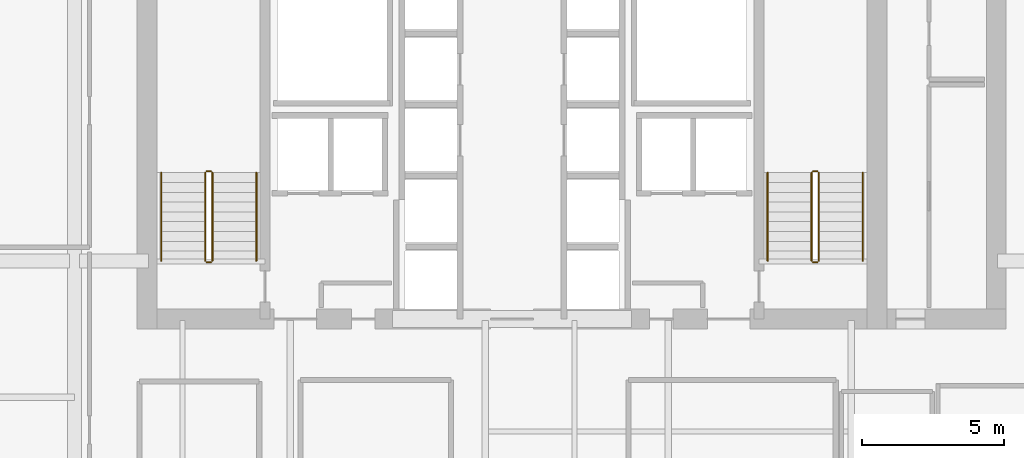
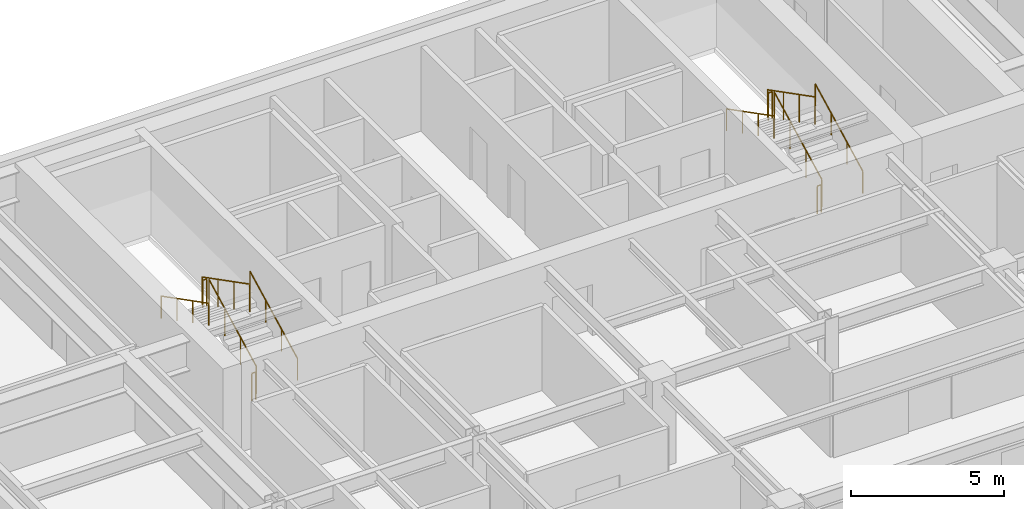
# One storey, part 16 of 16: 12 railings.
"""IFC4 building model written with IfcOpenShell, lengths in metres."""

from ifc_helpers import new_model, si_unit, direction, frame, origin, origin_2d, place, context, subcontext, project, spatial, circle, extrude, material, type_object, element, save


model = new_model("IFC4")

# Units and contexts
model_context = context("Model", 3, precision=1e-05, world=origin(), true_north=direction((0.0, 1.0)))
body_context = subcontext(model_context, "Body", "Model", "MODEL_VIEW")
ifc_project = project(units=[si_unit("LENGTHUNIT", "METRE"), si_unit("AREAUNIT", "SQUARE_METRE"), si_unit("VOLUMEUNIT", "CUBIC_METRE"), si_unit("PLANEANGLEUNIT", "RADIAN"), si_unit("MASSUNIT", "GRAM", prefix="KILO")], contexts=[model_context])

# Site, building, storey
site_placement = place(None, origin())
site = spatial("IfcSite", under=ifc_project, at=site_placement, CompositionType="ELEMENT")
building_placement = place(site_placement, origin())
building = spatial("IfcBuilding", under=site, at=building_placement, Name="Tolvann Quenvar Hotel", CompositionType="ELEMENT")
storey_placement = place(building_placement, frame((0.0, 0.0, 115.10009765625)))
storey = spatial("IfcBuildingStorey", under=building, at=storey_placement, Name="L29", CompositionType="ELEMENT", Elevation=115.10009765625)

# Railings
ifc_material = material(Name="Brushed 316 stainless steel balustrade and handrail", Category="steel")
railing_type_1 = type_object("IfcRailingType", Name="GUARDRAIL", PredefinedType="GUARDRAIL", material=ifc_material)
railing_1_placement = place(storey_placement, frame((12.449951171875, 34.0, 0.177490234375)))
element("IfcRailing", 1, at=railing_1_placement, inside=storey, type_object=railing_type_1, Name="L29 ST-C1 stair guard 1", PredefinedType="GUARDRAIL", context=body_context, shape_type="SweptSolid", body=[
    extrude(circle(Radius=0.02392578125, at=origin_2d()), frame((0.0, 0.0, 1.09619140625), z_axis=(0.0, 0.889221982265, 0.45747597342), x_axis=(-1.0, 0.0, 0.0)), (0.0, 0.0, 1.0), 3.49169921875),
    extrude(circle(Radius=0.02099609375, at=origin_2d()), origin(), (0.0, 0.0, 1.0), 1.072021484375),
    extrude(circle(Radius=0.02099609375, at=origin_2d()), frame((0.0, 1.034912109375, 0.532470703125)), (0.0, 0.0, 1.0), 1.072021484375),
    extrude(circle(Radius=0.02099609375, at=origin_2d()), frame((0.0, 2.070068359375, 1.06494140625)), (0.0, 0.0, 1.0), 1.072021484375),
    extrude(circle(Radius=0.02099609375, at=origin_2d()), frame((0.0, 3.10498046875, 1.597412109375)), (0.0, 0.0, 1.0), 1.072021484375),
])
railing_2_placement = place(storey_placement, frame((12.39990234375, 37.155029296875, 1.77490234375)))
element("IfcRailing", 2, at=railing_2_placement, inside=storey, type_object=railing_type_1, Name="L29 ST-C1 stair guard 2", PredefinedType="GUARDRAIL", context=body_context, shape_type="SweptSolid", body=[
    extrude(circle(Radius=0.02392578125, at=origin_2d()), frame((0.0, 0.0, 1.09619140625), z_axis=(-1.0, 0.0, 0.0), x_axis=(0.0, -1.0, 0.0)), (0.0, 0.0, 1.0), 0.14990234375),
    extrude(circle(Radius=0.02099609375, at=origin_2d()), origin(), (0.0, 0.0, 1.0), 1.072021484375),
    extrude(circle(Radius=0.02099609375, at=origin_2d()), frame((-0.14990234375, 0.0, 0.0)), (0.0, 0.0, 1.0), 1.072021484375),
])
railing_3_placement = place(storey_placement, frame((12.199951171875, 37.10498046875, 1.952392578125)))
element("IfcRailing", 3, at=railing_3_placement, inside=storey, type_object=railing_type_1, Name="L29 ST-C1 stair guard 3", PredefinedType="GUARDRAIL", context=body_context, shape_type="SweptSolid", body=[
    extrude(circle(Radius=0.02392578125, at=origin_2d()), frame((0.0, 0.0, 1.09619140625), z_axis=(0.0, -0.889221982265, 0.45747597342), x_axis=(1.0, 0.0, 0.0)), (0.0, 0.0, 1.0), 3.49169921875),
    extrude(circle(Radius=0.02099609375, at=origin_2d()), origin(), (0.0, 0.0, 1.0), 1.072021484375),
    extrude(circle(Radius=0.02099609375, at=origin_2d()), frame((0.0, -1.034912109375, 0.532470703125)), (0.0, 0.0, 1.0), 1.072021484375),
    extrude(circle(Radius=0.02099609375, at=origin_2d()), frame((0.0, -2.070068359375, 1.06494140625)), (0.0, 0.0, 1.0), 1.072021484375),
    extrude(circle(Radius=0.02099609375, at=origin_2d()), frame((0.0, -3.10498046875, 1.597412109375)), (0.0, 0.0, 1.0), 1.072021484375),
])
railing_4_placement = place(storey_placement, frame((12.39990234375, 33.949951171875, 0.0)))
element("IfcRailing", 4, at=railing_4_placement, inside=storey, type_object=railing_type_1, Name="L29 ST-C1 stair guard 4", PredefinedType="GUARDRAIL", context=body_context, shape_type="SweptSolid", body=[
    extrude(circle(Radius=0.02392578125, at=origin_2d()), frame((0.0, 0.0, 1.09619140625), z_axis=(-1.0, 0.0, 0.0), x_axis=(0.0, -1.0, 0.0)), (0.0, 0.0, 1.0), 0.14990234375),
    extrude(circle(Radius=0.02099609375, at=origin_2d()), origin(), (0.0, 0.0, 1.0), 1.072021484375),
    extrude(circle(Radius=0.02099609375, at=origin_2d()), frame((-0.14990234375, 0.0, 0.0)), (0.0, 0.0, 1.0), 1.072021484375),
])
railing_5_placement = place(storey_placement, frame((33.800048828125, 34.0, 0.177490234375)))
element("IfcRailing", 5, at=railing_5_placement, inside=storey, type_object=railing_type_1, Name="L29 ST-C2 stair guard 1", PredefinedType="GUARDRAIL", context=body_context, shape_type="SweptSolid", body=[
    extrude(circle(Radius=0.02392578125, at=origin_2d()), frame((0.0, 0.0, 1.09619140625), z_axis=(0.0, 0.889221982265, 0.45747597342), x_axis=(-1.0, 0.0, 0.0)), (0.0, 0.0, 1.0), 3.49169921875),
    extrude(circle(Radius=0.02099609375, at=origin_2d()), origin(), (0.0, 0.0, 1.0), 1.072021484375),
    extrude(circle(Radius=0.02099609375, at=origin_2d()), frame((0.0, 1.034912109375, 0.532470703125)), (0.0, 0.0, 1.0), 1.072021484375),
    extrude(circle(Radius=0.02099609375, at=origin_2d()), frame((0.0, 2.070068359375, 1.06494140625)), (0.0, 0.0, 1.0), 1.072021484375),
    extrude(circle(Radius=0.02099609375, at=origin_2d()), frame((0.0, 3.10498046875, 1.597412109375)), (0.0, 0.0, 1.0), 1.072021484375),
])
railing_6_placement = place(storey_placement, frame((33.75, 37.155029296875, 1.77490234375)))
element("IfcRailing", 6, at=railing_6_placement, inside=storey, type_object=railing_type_1, Name="L29 ST-C2 stair guard 2", PredefinedType="GUARDRAIL", context=body_context, shape_type="SweptSolid", body=[
    extrude(circle(Radius=0.02392578125, at=origin_2d()), frame((0.0, 0.0, 1.09619140625), z_axis=(-1.0, 0.0, 0.0), x_axis=(0.0, -1.0, 0.0)), (0.0, 0.0, 1.0), 0.14990234375),
    extrude(circle(Radius=0.02099609375, at=origin_2d()), origin(), (0.0, 0.0, 1.0), 1.072021484375),
    extrude(circle(Radius=0.02099609375, at=origin_2d()), frame((-0.14990234375, 0.0, 0.0)), (0.0, 0.0, 1.0), 1.072021484375),
])
railing_7_placement = place(storey_placement, frame((33.550048828125, 37.10498046875, 1.952392578125)))
element("IfcRailing", 7, at=railing_7_placement, inside=storey, type_object=railing_type_1, Name="L29 ST-C2 stair guard 3", PredefinedType="GUARDRAIL", context=body_context, shape_type="SweptSolid", body=[
    extrude(circle(Radius=0.02392578125, at=origin_2d()), frame((0.0, 0.0, 1.09619140625), z_axis=(0.0, -0.889221982265, 0.45747597342), x_axis=(1.0, 0.0, 0.0)), (0.0, 0.0, 1.0), 3.49169921875),
    extrude(circle(Radius=0.02099609375, at=origin_2d()), origin(), (0.0, 0.0, 1.0), 1.072021484375),
    extrude(circle(Radius=0.02099609375, at=origin_2d()), frame((0.0, -1.034912109375, 0.532470703125)), (0.0, 0.0, 1.0), 1.072021484375),
    extrude(circle(Radius=0.02099609375, at=origin_2d()), frame((0.0, -2.070068359375, 1.06494140625)), (0.0, 0.0, 1.0), 1.072021484375),
    extrude(circle(Radius=0.02099609375, at=origin_2d()), frame((0.0, -3.10498046875, 1.597412109375)), (0.0, 0.0, 1.0), 1.072021484375),
])
railing_8_placement = place(storey_placement, frame((33.75, 33.949951171875, 0.0)))
element("IfcRailing", 8, at=railing_8_placement, inside=storey, type_object=railing_type_1, Name="L29 ST-C2 stair guard 4", PredefinedType="GUARDRAIL", context=body_context, shape_type="SweptSolid", body=[
    extrude(circle(Radius=0.02392578125, at=origin_2d()), frame((0.0, 0.0, 1.09619140625), z_axis=(-1.0, 0.0, 0.0), x_axis=(0.0, -1.0, 0.0)), (0.0, 0.0, 1.0), 0.14990234375),
    extrude(circle(Radius=0.02099609375, at=origin_2d()), origin(), (0.0, 0.0, 1.0), 1.072021484375),
    extrude(circle(Radius=0.02099609375, at=origin_2d()), frame((-0.14990234375, 0.0, 0.0)), (0.0, 0.0, 1.0), 1.072021484375),
])
railing_type_2 = type_object("IfcRailingType", Name="HANDRAIL", PredefinedType="HANDRAIL", material=ifc_material)
railing_9_placement = place(storey_placement, frame((14.0, 34.0, 0.177490234375)))
element("IfcRailing", 9, at=railing_9_placement, inside=storey, type_object=railing_type_2, Name="L29 ST-C1 stair handrail 1", PredefinedType="HANDRAIL", context=body_context, shape_type="SweptSolid", body=[
    extrude(circle(Radius=0.02392578125, at=origin_2d()), frame((0.0, 0.0, 0.8759765625), z_axis=(0.0, 0.889221982265, 0.45747597342), x_axis=(-1.0, 0.0, 0.0)), (0.0, 0.0, 1.0), 3.49169921875),
    extrude(circle(Radius=0.02099609375, at=origin_2d()), origin(), (0.0, 0.0, 1.0), 0.851806640625),
    extrude(circle(Radius=0.02099609375, at=origin_2d()), frame((0.0, 1.034912109375, 0.532470703125)), (0.0, 0.0, 1.0), 0.851806640625),
    extrude(circle(Radius=0.02099609375, at=origin_2d()), frame((0.0, 2.070068359375, 1.06494140625)), (0.0, 0.0, 1.0), 0.851806640625),
    extrude(circle(Radius=0.02099609375, at=origin_2d()), frame((0.0, 3.10498046875, 1.597412109375)), (0.0, 0.0, 1.0), 0.851806640625),
])
railing_10_placement = place(storey_placement, frame((10.64990234375, 37.10498046875, 1.952392578125)))
element("IfcRailing", 10, at=railing_10_placement, inside=storey, type_object=railing_type_2, Name="L29 ST-C1 stair handrail 2", PredefinedType="HANDRAIL", context=body_context, shape_type="SweptSolid", body=[
    extrude(circle(Radius=0.02392578125, at=origin_2d()), frame((0.0, 0.0, 0.8759765625), z_axis=(0.0, -0.889221982265, 0.45747597342), x_axis=(1.0, 0.0, 0.0)), (0.0, 0.0, 1.0), 3.49169921875),
    extrude(circle(Radius=0.02099609375, at=origin_2d()), origin(), (0.0, 0.0, 1.0), 0.851806640625),
    extrude(circle(Radius=0.02099609375, at=origin_2d()), frame((0.0, -1.034912109375, 0.532470703125)), (0.0, 0.0, 1.0), 0.851806640625),
    extrude(circle(Radius=0.02099609375, at=origin_2d()), frame((0.0, -2.070068359375, 1.06494140625)), (0.0, 0.0, 1.0), 0.851806640625),
    extrude(circle(Radius=0.02099609375, at=origin_2d()), frame((0.0, -3.10498046875, 1.597412109375)), (0.0, 0.0, 1.0), 0.851806640625),
])
railing_11_placement = place(storey_placement, frame((35.35009765625, 34.0, 0.177490234375)))
element("IfcRailing", 11, at=railing_11_placement, inside=storey, type_object=railing_type_2, Name="L29 ST-C2 stair handrail 1", PredefinedType="HANDRAIL", context=body_context, shape_type="SweptSolid", body=[
    extrude(circle(Radius=0.02392578125, at=origin_2d()), frame((0.0, 0.0, 0.8759765625), z_axis=(0.0, 0.889221982265, 0.45747597342), x_axis=(-1.0, 0.0, 0.0)), (0.0, 0.0, 1.0), 3.49169921875),
    extrude(circle(Radius=0.02099609375, at=origin_2d()), origin(), (0.0, 0.0, 1.0), 0.851806640625),
    extrude(circle(Radius=0.02099609375, at=origin_2d()), frame((0.0, 1.034912109375, 0.532470703125)), (0.0, 0.0, 1.0), 0.851806640625),
    extrude(circle(Radius=0.02099609375, at=origin_2d()), frame((0.0, 2.070068359375, 1.06494140625)), (0.0, 0.0, 1.0), 0.851806640625),
    extrude(circle(Radius=0.02099609375, at=origin_2d()), frame((0.0, 3.10498046875, 1.597412109375)), (0.0, 0.0, 1.0), 0.851806640625),
])
railing_12_placement = place(storey_placement, frame((32.0, 37.10498046875, 1.952392578125)))
element("IfcRailing", 12, at=railing_12_placement, inside=storey, type_object=railing_type_2, Name="L29 ST-C2 stair handrail 2", PredefinedType="HANDRAIL", context=body_context, shape_type="SweptSolid", body=[
    extrude(circle(Radius=0.02392578125, at=origin_2d()), frame((0.0, 0.0, 0.8759765625), z_axis=(0.0, -0.889221982265, 0.45747597342), x_axis=(1.0, 0.0, 0.0)), (0.0, 0.0, 1.0), 3.49169921875),
    extrude(circle(Radius=0.02099609375, at=origin_2d()), origin(), (0.0, 0.0, 1.0), 0.851806640625),
    extrude(circle(Radius=0.02099609375, at=origin_2d()), frame((0.0, -1.034912109375, 0.532470703125)), (0.0, 0.0, 1.0), 0.851806640625),
    extrude(circle(Radius=0.02099609375, at=origin_2d()), frame((0.0, -2.070068359375, 1.06494140625)), (0.0, 0.0, 1.0), 0.851806640625),
    extrude(circle(Radius=0.02099609375, at=origin_2d()), frame((0.0, -3.10498046875, 1.597412109375)), (0.0, 0.0, 1.0), 0.851806640625),
])

save(model, "model.ifc")
